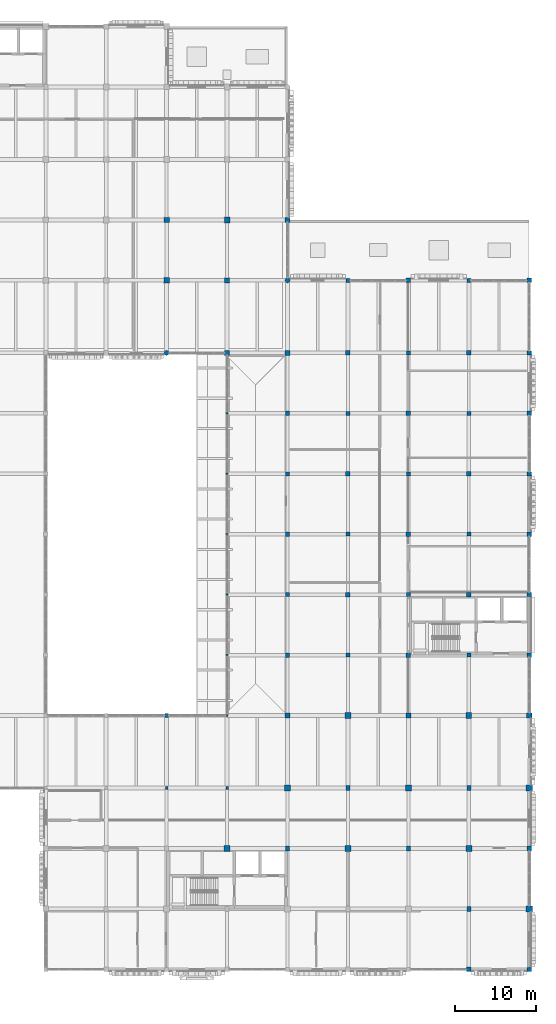
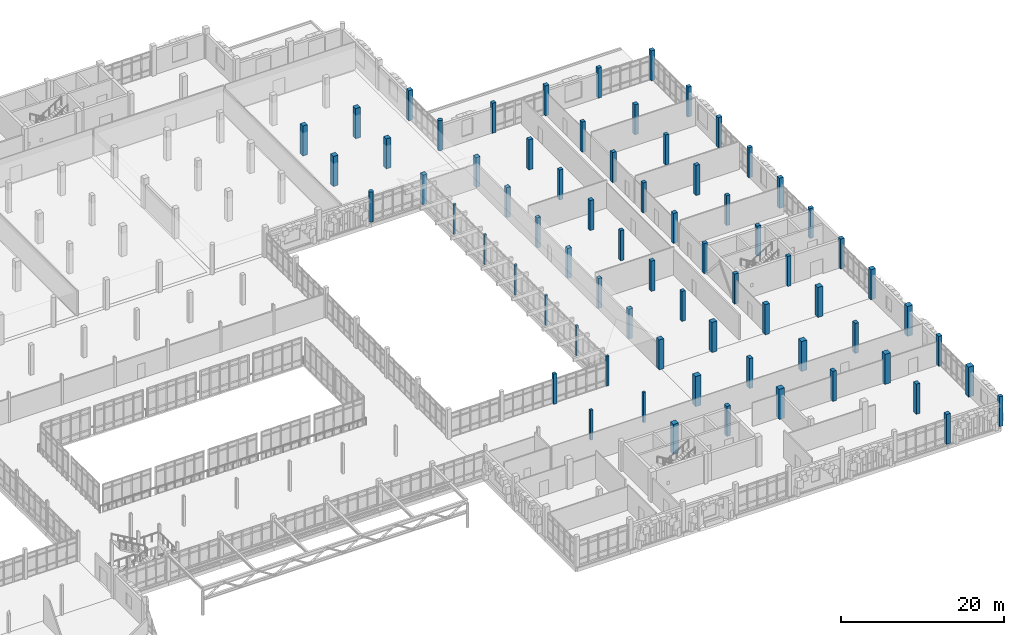
# One storey, part 11 of 128: 71 columns.
"""IFC4 building model written with IfcOpenShell, lengths in metres."""

from ifc_helpers import new_model, si_unit, direction, frame, origin, origin_2d, place, context, subcontext, project, spatial, rectangle, circle, extrude, material, material_profile, profile_set, type_object, element, save


model = new_model("IFC4")

# Units and contexts
model_context = context("Model", 3, precision=1e-05, world=origin(), true_north=direction((0.0, 1.0)))
body_context = subcontext(model_context, "Body", "Model", "MODEL_VIEW")
ifc_project = project(units=[si_unit("LENGTHUNIT", "METRE"), si_unit("AREAUNIT", "SQUARE_METRE"), si_unit("VOLUMEUNIT", "CUBIC_METRE"), si_unit("PLANEANGLEUNIT", "RADIAN"), si_unit("MASSUNIT", "GRAM", prefix="KILO")], contexts=[model_context])

# Site, building, storey
site_placement = place(None, origin())
site = spatial("IfcSite", under=ifc_project, at=site_placement, CompositionType="ELEMENT")
building_placement = place(site_placement, origin())
building = spatial("IfcBuilding", under=site, at=building_placement, Name="Dalvernix Boulevard General Hospital", CompositionType="ELEMENT")
storey_placement = place(building_placement, frame((0.0, 0.0, 4.800048828125)))
storey = spatial("IfcBuildingStorey", under=building, at=storey_placement, Name="L01", CompositionType="ELEMENT", Elevation=4.800048828125)

# Columns
ifc_material_1 = material(Name="Concrete C40/50", Category="concrete")
ifc_material_profile_1 = material_profile(ifc_material_1, rectangle(XDim=0.75, YDim=0.75, at=origin_2d()), Name="RC 750x750")
ifc_profile_set_1 = profile_set([ifc_material_profile_1], Name="Concrete C40/50")
column_type_1 = type_object("IfcColumnType", Name="COL-C-04-E", PredefinedType="COLUMN", material=ifc_profile_set_1)
for number, where, z_axis, x_axis, name in (
    (1, (172.5, 7.5, 0.0), (0.0, 0.0, 1.0), (1.0, 0.0, 0.0), "L01 column 24B"),
    (2, (172.5, 22.5, 0.0), (0.0, 0.0, 1.0), (1.0, 0.0, 0.0), "L01 column 24D"),
):
    element("IfcColumn", number, at=place(storey_placement, frame(where, z_axis=z_axis, x_axis=x_axis)), inside=storey, type_object=column_type_1, Name=name, PredefinedType="COLUMN", context=body_context, shape_type="SweptSolid", body=[
        extrude(rectangle(XDim=0.75, YDim=0.75, at=origin_2d()), origin(), (0.0, 0.0, 1.0), 4.5),
    ])
ifc_material_profile_2 = material_profile(ifc_material_1, rectangle(XDim=0.75, YDim=0.75, at=origin_2d()), Name="RC 750x750")
ifc_profile_set_2 = profile_set([ifc_material_profile_2], Name="Concrete C40/50")
column_type_2 = type_object("IfcColumnType", Name="COL-C-04-I", PredefinedType="COLUMN", material=ifc_profile_set_2)
for number, where, z_axis, x_axis, name in (
    (3, (135.0, 15.0, 0.0), (0.0, 0.0, 1.0), (1.0, 0.0, 0.0), "L01 column 19C"),
    (4, (142.5, 22.5, 0.0), (0.0, 0.0, 1.0), (1.0, 0.0, 0.0), "L01 column 20D"),
    (5, (150.0, 15.0, 0.0), (0.0, 0.0, 1.0), (1.0, 0.0, 0.0), "L01 column 21C"),
    (6, (157.5, 22.5, 0.0), (0.0, 0.0, 1.0), (1.0, 0.0, 0.0), "L01 column 22D"),
    (7, (165.0, 15.0, 0.0), (0.0, 0.0, 1.0), (1.0, 0.0, 0.0), "L01 column 23C"),
):
    element("IfcColumn", number, at=place(storey_placement, frame(where, z_axis=z_axis, x_axis=x_axis)), inside=storey, type_object=column_type_2, Name=name, PredefinedType="COLUMN", context=body_context, shape_type="SweptSolid", body=[
        extrude(rectangle(XDim=0.75, YDim=0.75, at=origin_2d()), origin(), (0.0, 0.0, 1.0), 4.5),
    ])
ifc_material_profile_3 = material_profile(ifc_material_1, rectangle(XDim=0.699951171875, YDim=0.699951171875, at=origin_2d()), Name="RC 700x700")
ifc_profile_set_3 = profile_set([ifc_material_profile_3], Name="Concrete C40/50")
column_type_3 = type_object("IfcColumnType", Name="COL-C-05-I", PredefinedType="COLUMN", material=ifc_profile_set_3)
for number, where, z_axis, x_axis, name in (
    (8, (127.5, 85.5, 0.0), (0.0, 0.0, 1.0), (1.0, 0.0, 0.0), "L01 column 18M"),
    (9, (135.0, 93.0, 0.0), (0.0, 0.0, 1.0), (1.0, 0.0, 0.0), "L01 column 19N"),
    (10, (150.0, 31.5, 0.0), (0.0, 0.0, 1.0), (1.0, 0.0, 0.0), "L01 column 21E"),
    (11, (165.0, 31.5, 0.0), (0.0, 0.0, 1.0), (1.0, 0.0, 0.0), "L01 column 23E"),
):
    element("IfcColumn", number, at=place(storey_placement, frame(where, z_axis=z_axis, x_axis=x_axis)), inside=storey, type_object=column_type_3, Name=name, PredefinedType="COLUMN", context=body_context, shape_type="SweptSolid", body=[
        extrude(rectangle(XDim=0.699951171875, YDim=0.699951171875, at=origin_2d()), origin(), (0.0, 0.0, 1.0), 4.5),
    ])
ifc_material_profile_4 = material_profile(ifc_material_1, rectangle(XDim=0.64990234375, YDim=0.64990234375, at=origin_2d()), Name="RC 650x650")
ifc_profile_set_4 = profile_set([ifc_material_profile_4], Name="Concrete C40/50")
column_type_4 = type_object("IfcColumnType", Name="COL-C-06-E", PredefinedType="COLUMN", material=ifc_profile_set_4)
column_1_placement = place(storey_placement, frame((172.5, 31.5, 0.0), z_axis=(0.0, 0.0, 1.0), x_axis=(1.0, 0.0, 0.0)))
element("IfcColumn", 12, at=column_1_placement, inside=storey, type_object=column_type_4, Name="L01 column 24E", PredefinedType="COLUMN", context=body_context, shape_type="SweptSolid", body=[
    extrude(rectangle(XDim=0.64990234375, YDim=0.64990234375, at=origin_2d()), origin(), (0.0, 0.0, 1.0), 4.5),
])
ifc_material_profile_5 = material_profile(ifc_material_1, rectangle(XDim=0.64990234375, YDim=0.64990234375, at=origin_2d()), Name="RC 650x650")
ifc_profile_set_5 = profile_set([ifc_material_profile_5], Name="Concrete C40/50")
column_type_5 = type_object("IfcColumnType", Name="COL-C-06-I", PredefinedType="COLUMN", material=ifc_profile_set_5)
for number, where, z_axis, x_axis, name in (
    (13, (127.5, 93.0, 0.0), (0.0, 0.0, 1.0), (1.0, 0.0, 0.0), "L01 column 18N"),
    (14, (135.0, 85.5, 0.0), (0.0, 0.0, 1.0), (1.0, 0.0, 0.0), "L01 column 19M"),
    (15, (142.5, 31.5, 0.0), (0.0, 0.0, 1.0), (1.0, 0.0, 0.0), "L01 column 20E"),
    (16, (157.5, 31.5, 0.0), (0.0, 0.0, 1.0), (1.0, 0.0, 0.0), "L01 column 22E"),
):
    element("IfcColumn", number, at=place(storey_placement, frame(where, z_axis=z_axis, x_axis=x_axis)), inside=storey, type_object=column_type_5, Name=name, PredefinedType="COLUMN", context=body_context, shape_type="SweptSolid", body=[
        extrude(rectangle(XDim=0.64990234375, YDim=0.64990234375, at=origin_2d()), origin(), (0.0, 0.0, 1.0), 4.5),
    ])
ifc_material_profile_6 = material_profile(ifc_material_1, rectangle(XDim=0.60009765625, YDim=0.60009765625, at=origin_2d()), Name="RC 600x600")
ifc_profile_set_6 = profile_set([ifc_material_profile_6], Name="Concrete C40/50")
column_type_6 = type_object("IfcColumnType", Name="COL-C-07-E", PredefinedType="COLUMN", material=ifc_profile_set_6)
for number, where, z_axis, x_axis, name in (
    (17, (135.0, 76.5, 0.0), (0.0, 0.0, 1.0), (1.0, 0.0, 0.0), "L01 column 19L"),
    (18, (142.5, 93.0, 0.0), (0.0, 0.0, 1.0), (1.0, 0.0, 0.0), "L01 column 20N"),
):
    element("IfcColumn", number, at=place(storey_placement, frame(where, z_axis=z_axis, x_axis=x_axis)), inside=storey, type_object=column_type_6, Name=name, PredefinedType="COLUMN", context=body_context, shape_type="SweptSolid", body=[
        extrude(rectangle(XDim=0.60009765625, YDim=0.60009765625, at=origin_2d()), origin(), (0.0, 0.0, 1.0), 4.5),
    ])
ifc_material_profile_7 = material_profile(ifc_material_1, rectangle(XDim=0.60009765625, YDim=0.60009765625, at=origin_2d()), Name="RC 600x600")
ifc_profile_set_7 = profile_set([ifc_material_profile_7], Name="Concrete C40/50")
column_type_7 = type_object("IfcColumnType", Name="COL-C-07-I", PredefinedType="COLUMN", material=ifc_profile_set_7)
column_2_placement = place(storey_placement, frame((142.5, 76.5, 0.0), z_axis=(0.0, 0.0, 1.0), x_axis=(1.0, 0.0, 0.0)))
element("IfcColumn", 19, at=column_2_placement, inside=storey, type_object=column_type_7, Name="L01 column 20L", PredefinedType="COLUMN", context=body_context, shape_type="SweptSolid", body=[
    extrude(rectangle(XDim=0.60009765625, YDim=0.60009765625, at=origin_2d()), origin(), (0.0, 0.0, 1.0), 4.5),
])
ifc_material_profile_8 = material_profile(ifc_material_1, rectangle(XDim=0.550048828125, YDim=0.550048828125, at=origin_2d()), Name="RC 550x550")
ifc_profile_set_8 = profile_set([ifc_material_profile_8], Name="Concrete C40/50")
column_type_8 = type_object("IfcColumnType", Name="COL-C-08-E", PredefinedType="COLUMN", material=ifc_profile_set_8)
for number, where, z_axis, x_axis, name in (
    (20, (157.5, 85.5, 0.0), (0.0, 0.0, 1.0), (1.0, 0.0, 0.0), "L01 column 22M"),
    (21, (165.0, 0.0, 0.0), (0.0, 0.0, 1.0), (1.0, 0.0, 0.0), "L01 column 23A"),
    (22, (172.5, 39.0, 0.0), (0.0, 0.0, 1.0), (1.0, 0.0, 0.0), "L01 column 24F"),
    (23, (172.5, 54.0, 0.0), (0.0, 0.0, 1.0), (1.0, 0.0, 0.0), "L01 column 24H"),
    (24, (172.5, 69.0, 0.0), (0.0, 0.0, 1.0), (1.0, 0.0, 0.0), "L01 column 24K"),
    (25, (172.5, 85.5, 0.0), (0.0, 0.0, 1.0), (1.0, 0.0, 0.0), "L01 column 24M"),
):
    element("IfcColumn", number, at=place(storey_placement, frame(where, z_axis=z_axis, x_axis=x_axis)), inside=storey, type_object=column_type_8, Name=name, PredefinedType="COLUMN", context=body_context, shape_type="SweptSolid", body=[
        extrude(rectangle(XDim=0.550048828125, YDim=0.550048828125, at=origin_2d()), origin(), (0.0, 0.0, 1.0), 4.5),
    ])
ifc_material_profile_9 = material_profile(ifc_material_1, rectangle(XDim=0.550048828125, YDim=0.550048828125, at=origin_2d()), Name="RC 550x550")
ifc_profile_set_9 = profile_set([ifc_material_profile_9], Name="Concrete C40/50")
column_type_9 = type_object("IfcColumnType", Name="COL-C-08-I", PredefinedType="COLUMN", material=ifc_profile_set_9)
for number, where, z_axis, x_axis, name in (
    (26, (142.5, 39.0, 0.0), (0.0, 0.0, 1.0), (1.0, 0.0, 0.0), "L01 column 20F"),
    (27, (142.5, 54.0, 0.0), (0.0, 0.0, 1.0), (1.0, 0.0, 0.0), "L01 column 20H"),
    (28, (142.5, 69.0, 0.0), (0.0, 0.0, 1.0), (1.0, 0.0, 0.0), "L01 column 20K"),
    (29, (150.0, 46.5, 0.0), (0.0, 0.0, 1.0), (1.0, 0.0, 0.0), "L01 column 21G"),
    (30, (150.0, 61.5, 0.0), (0.0, 0.0, 1.0), (1.0, 0.0, 0.0), "L01 column 21J"),
    (31, (150.0, 76.5, 0.0), (0.0, 0.0, 1.0), (1.0, 0.0, 0.0), "L01 column 21L"),
    (32, (157.5, 39.0, 0.0), (0.0, 0.0, 1.0), (1.0, 0.0, 0.0), "L01 column 22F"),
    (33, (157.5, 54.0, 0.0), (0.0, 0.0, 1.0), (1.0, 0.0, 0.0), "L01 column 22H"),
    (34, (157.5, 69.0, 0.0), (0.0, 0.0, 1.0), (1.0, 0.0, 0.0), "L01 column 22K"),
    (35, (165.0, 46.5, 0.0), (0.0, 0.0, 1.0), (1.0, 0.0, 0.0), "L01 column 23G"),
    (36, (165.0, 61.5, 0.0), (0.0, 0.0, 1.0), (1.0, 0.0, 0.0), "L01 column 23J"),
    (37, (165.0, 76.5, 0.0), (0.0, 0.0, 1.0), (1.0, 0.0, 0.0), "L01 column 23L"),
):
    element("IfcColumn", number, at=place(storey_placement, frame(where, z_axis=z_axis, x_axis=x_axis)), inside=storey, type_object=column_type_9, Name=name, PredefinedType="COLUMN", context=body_context, shape_type="SweptSolid", body=[
        extrude(rectangle(XDim=0.550048828125, YDim=0.550048828125, at=origin_2d()), origin(), (0.0, 0.0, 1.0), 4.5),
    ])
ifc_material_profile_10 = material_profile(ifc_material_1, rectangle(XDim=0.5, YDim=0.5, at=origin_2d()), Name="RC 500x500")
ifc_profile_set_10 = profile_set([ifc_material_profile_10], Name="Concrete C40/50")
column_type_10 = type_object("IfcColumnType", Name="COL-C-09-E", PredefinedType="COLUMN", material=ifc_profile_set_10)
for number, where, z_axis, x_axis, name in (
    (38, (150.0, 85.5, 0.0), (0.0, 0.0, 1.0), (1.0, 0.0, 0.0), "L01 column 21M"),
    (39, (165.0, 85.5, 0.0), (0.0, 0.0, 1.0), (1.0, 0.0, 0.0), "L01 column 23M"),
    (40, (172.5, 0.0, 0.0), (0.0, 0.0, 1.0), (1.0, 0.0, 0.0), "L01 column 24A"),
    (41, (172.5, 46.5, 0.0), (0.0, 0.0, 1.0), (1.0, 0.0, 0.0), "L01 column 24G"),
    (42, (172.5, 61.5, 0.0), (0.0, 0.0, 1.0), (1.0, 0.0, 0.0), "L01 column 24J"),
    (43, (172.5, 76.5, 0.0), (0.0, 0.0, 1.0), (1.0, 0.0, 0.0), "L01 column 24L"),
):
    element("IfcColumn", number, at=place(storey_placement, frame(where, z_axis=z_axis, x_axis=x_axis)), inside=storey, type_object=column_type_10, Name=name, PredefinedType="COLUMN", context=body_context, shape_type="SweptSolid", body=[
        extrude(rectangle(XDim=0.5, YDim=0.5, at=origin_2d()), origin(), (0.0, 0.0, 1.0), 4.5),
    ])
ifc_material_profile_11 = material_profile(ifc_material_1, rectangle(XDim=0.5, YDim=0.5, at=origin_2d()), Name="RC 500x500")
ifc_profile_set_11 = profile_set([ifc_material_profile_11], Name="Concrete C40/50")
column_type_11 = type_object("IfcColumnType", Name="COL-C-09-I", PredefinedType="COLUMN", material=ifc_profile_set_11)
for number, where, z_axis, x_axis, name in (
    (44, (142.5, 46.5, 0.0), (0.0, 0.0, 1.0), (1.0, 0.0, 0.0), "L01 column 20G"),
    (45, (142.5, 61.5, 0.0), (0.0, 0.0, 1.0), (1.0, 0.0, 0.0), "L01 column 20J"),
    (46, (150.0, 39.0, 0.0), (0.0, 0.0, 1.0), (1.0, 0.0, 0.0), "L01 column 21F"),
    (47, (150.0, 54.0, 0.0), (0.0, 0.0, 1.0), (1.0, 0.0, 0.0), "L01 column 21H"),
    (48, (150.0, 69.0, 0.0), (0.0, 0.0, 1.0), (1.0, 0.0, 0.0), "L01 column 21K"),
    (49, (157.5, 46.5, 0.0), (0.0, 0.0, 1.0), (1.0, 0.0, 0.0), "L01 column 22G"),
    (50, (157.5, 61.5, 0.0), (0.0, 0.0, 1.0), (1.0, 0.0, 0.0), "L01 column 22J"),
    (51, (157.5, 76.5, 0.0), (0.0, 0.0, 1.0), (1.0, 0.0, 0.0), "L01 column 22L"),
    (52, (165.0, 39.0, 0.0), (0.0, 0.0, 1.0), (1.0, 0.0, 0.0), "L01 column 23F"),
    (53, (165.0, 54.0, 0.0), (0.0, 0.0, 1.0), (1.0, 0.0, 0.0), "L01 column 23H"),
    (54, (165.0, 69.0, 0.0), (0.0, 0.0, 1.0), (1.0, 0.0, 0.0), "L01 column 23K"),
):
    element("IfcColumn", number, at=place(storey_placement, frame(where, z_axis=z_axis, x_axis=x_axis)), inside=storey, type_object=column_type_11, Name=name, PredefinedType="COLUMN", context=body_context, shape_type="SweptSolid", body=[
        extrude(rectangle(XDim=0.5, YDim=0.5, at=origin_2d()), origin(), (0.0, 0.0, 1.0), 4.5),
    ])
ifc_material_profile_12 = material_profile(ifc_material_1, rectangle(XDim=0.449951171875, YDim=0.449951171875, at=origin_2d()), Name="RC 450x450")
ifc_profile_set_12 = profile_set([ifc_material_profile_12], Name="Concrete C40/50")
column_type_12 = type_object("IfcColumnType", Name="COL-C-10-E", PredefinedType="COLUMN", material=ifc_profile_set_12)
column_3_placement = place(storey_placement, frame((127.5, 31.5, 0.0), z_axis=(0.0, 0.0, 1.0), x_axis=(1.0, 0.0, 0.0)))
element("IfcColumn", 55, at=column_3_placement, inside=storey, type_object=column_type_12, Name="L01 column 18E", PredefinedType="COLUMN", context=body_context, shape_type="SweptSolid", body=[
    extrude(rectangle(XDim=0.449951171875, YDim=0.449951171875, at=origin_2d()), origin(), (0.0, 0.0, 1.0), 4.5),
])
ifc_material_profile_13 = material_profile(ifc_material_1, rectangle(XDim=0.5, YDim=0.64990234375, at=origin_2d()), Name="RC 500x650")
ifc_profile_set_13 = profile_set([ifc_material_profile_13], Name="Concrete C40/50")
column_type_13 = type_object("IfcColumnType", Name="COL-C-12-E", PredefinedType="COLUMN", material=ifc_profile_set_13)
column_4_placement = place(storey_placement, frame((172.5, 15.0, 0.0), z_axis=(0.0, 0.0, 1.0), x_axis=(1.0, 0.0, 0.0)))
element("IfcColumn", 56, at=column_4_placement, inside=storey, type_object=column_type_13, Name="L01 column 24C", PredefinedType="COLUMN", context=body_context, shape_type="SweptSolid", body=[
    extrude(rectangle(XDim=0.5, YDim=0.64990234375, at=origin_2d()), origin(), (0.0, 0.0, 1.0), 4.5),
])
ifc_material_profile_14 = material_profile(ifc_material_1, rectangle(XDim=0.5, YDim=0.64990234375, at=origin_2d()), Name="RC 500x650")
ifc_profile_set_14 = profile_set([ifc_material_profile_14], Name="Concrete C40/50")
column_type_14 = type_object("IfcColumnType", Name="COL-C-12-I", PredefinedType="COLUMN", material=ifc_profile_set_14)
for number, where, z_axis, x_axis, name in (
    (57, (142.5, 15.0, 0.0), (0.0, 0.0, 1.0), (1.0, 0.0, 0.0), "L01 column 20C"),
    (58, (150.0, 22.5, 0.0), (0.0, 0.0, 1.0), (1.0, 0.0, 0.0), "L01 column 21D"),
    (59, (157.5, 15.0, 0.0), (0.0, 0.0, 1.0), (1.0, 0.0, 0.0), "L01 column 22C"),
    (60, (165.0, 7.5, 0.0), (0.0, 0.0, 1.0), (1.0, 0.0, 0.0), "L01 column 23B"),
    (61, (165.0, 22.5, 0.0), (0.0, 0.0, 1.0), (1.0, 0.0, 0.0), "L01 column 23D"),
):
    element("IfcColumn", number, at=place(storey_placement, frame(where, z_axis=z_axis, x_axis=x_axis)), inside=storey, type_object=column_type_14, Name=name, PredefinedType="COLUMN", context=body_context, shape_type="SweptSolid", body=[
        extrude(rectangle(XDim=0.5, YDim=0.64990234375, at=origin_2d()), origin(), (0.0, 0.0, 1.0), 4.5),
    ])
ifc_material_profile_15 = material_profile(ifc_material_1, circle(Radius=0.300048828125, at=origin_2d()), Name="RC D600")
ifc_profile_set_15 = profile_set([ifc_material_profile_15], Name="Concrete C40/50")
column_type_15 = type_object("IfcColumnType", Name="COL-C-15-E", PredefinedType="COLUMN", material=ifc_profile_set_15)
for number, where, z_axis, x_axis, name in (
    (62, (127.5, 76.5, 0.0), (0.0, 0.0, 1.0), (1.0, 0.0, 0.0), "L01 column 18L"),
    (63, (142.5, 85.5, 0.0), (0.0, 0.0, 1.0), (1.0, 0.0, 0.0), "L01 column 20M"),
):
    element("IfcColumn", number, at=place(storey_placement, frame(where, z_axis=z_axis, x_axis=x_axis)), inside=storey, type_object=column_type_15, Name=name, PredefinedType="COLUMN", context=body_context, shape_type="SweptSolid", body=[
        extrude(circle(Radius=0.300048828125, at=origin_2d()), origin(), (0.0, 0.0, 1.0), 4.5),
    ])
ifc_material_2 = material(Name="Glulam GL28h", Category="wood")
ifc_material_profile_16 = material_profile(ifc_material_2, rectangle(XDim=0.320068359375, YDim=0.320068359375, at=origin_2d()), Name="GL28h 320x320")
ifc_profile_set_16 = profile_set([ifc_material_profile_16], Name="Glulam GL28h")
column_type_16 = type_object("IfcColumnType", Name="COL-C-20-I", PredefinedType="COLUMN", material=ifc_profile_set_16)
for number, where, z_axis, x_axis, name in (
    (64, (127.5, 22.5, 0.0), (0.0, 0.0, 1.0), (1.0, 0.0, 0.0), "L01 column 18D"),
    (65, (135.0, 22.5, 0.0), (0.0, 0.0, 1.0), (1.0, 0.0, 0.0), "L01 column 19D"),
):
    element("IfcColumn", number, at=place(storey_placement, frame(where, z_axis=z_axis, x_axis=x_axis)), inside=storey, type_object=column_type_16, Name=name, PredefinedType="COLUMN", context=body_context, shape_type="SweptSolid", body=[
        extrude(rectangle(XDim=0.320068359375, YDim=0.320068359375, at=origin_2d()), origin(), (0.0, 0.0, 1.0), 4.5),
    ])
ifc_material_profile_17 = material_profile(ifc_material_2, rectangle(XDim=0.280029296875, YDim=0.280029296875, at=origin_2d()), Name="GL28h 280x280")
ifc_profile_set_17 = profile_set([ifc_material_profile_17], Name="Glulam GL28h")
column_type_17 = type_object("IfcColumnType", Name="COL-C-21-E", PredefinedType="COLUMN", material=ifc_profile_set_17)
for number, where, z_axis, x_axis, name in (
    (66, (135.0, 31.5, 0.0), (0.0, 0.0, 1.0), (1.0, 0.0, 0.0), "L01 column 19E"),
    (67, (135.0, 39.0, 0.0), (0.0, 0.0, 1.0), (1.0, 0.0, 0.0), "L01 column 19F"),
    (68, (135.0, 46.5, 0.0), (0.0, 0.0, 1.0), (1.0, 0.0, 0.0), "L01 column 19G"),
    (69, (135.0, 54.0, 0.0), (0.0, 0.0, 1.0), (1.0, 0.0, 0.0), "L01 column 19H"),
    (70, (135.0, 61.5, 0.0), (0.0, 0.0, 1.0), (1.0, 0.0, 0.0), "L01 column 19J"),
    (71, (135.0, 69.0, 0.0), (0.0, 0.0, 1.0), (1.0, 0.0, 0.0), "L01 column 19K"),
):
    element("IfcColumn", number, at=place(storey_placement, frame(where, z_axis=z_axis, x_axis=x_axis)), inside=storey, type_object=column_type_17, Name=name, PredefinedType="COLUMN", context=body_context, shape_type="SweptSolid", body=[
        extrude(rectangle(XDim=0.280029296875, YDim=0.280029296875, at=origin_2d()), origin(), (0.0, 0.0, 1.0), 4.5),
    ])

save(model, "model.ifc")
